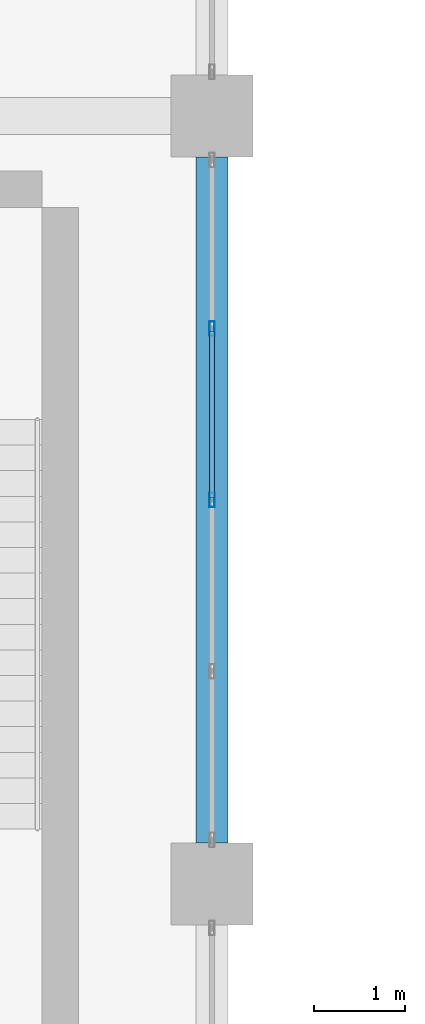
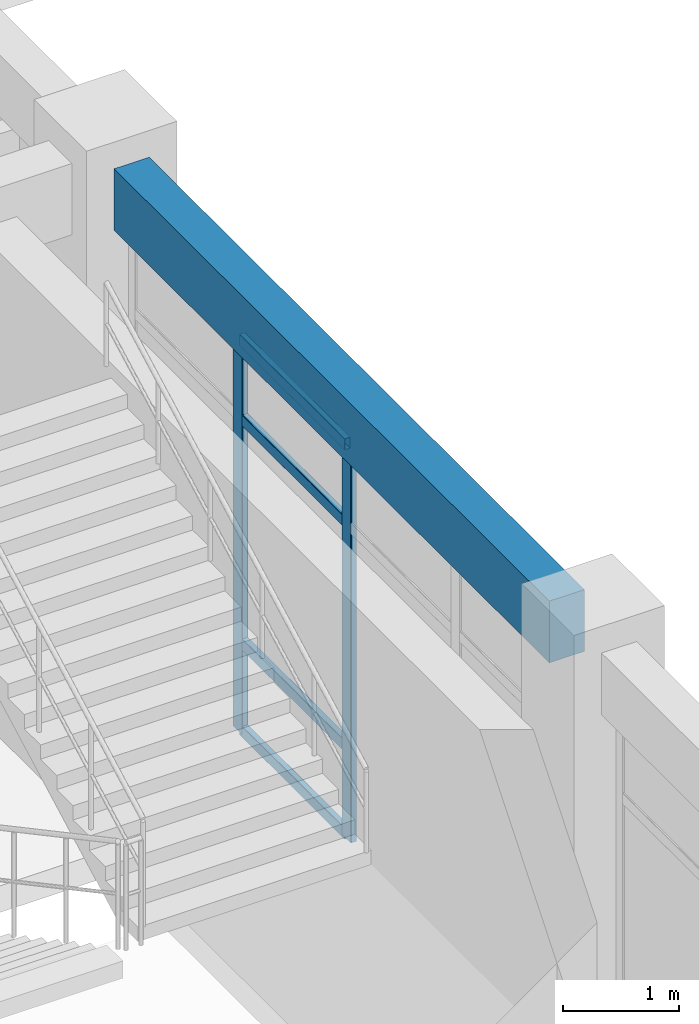
# One storey, part 27 of 120: 6 members, 1 beam, 1 element without a shape of its own.
"""IFC4 building model written with IfcOpenShell, lengths in metres."""

from ifc_helpers import new_model, si_unit, derived_unit, direction, frame, origin, origin_2d, place, context, subcontext, project, spatial, rectangle, hollow_rectangle, extrude, material, layer, layer_set, material_profile, profile_set, type_object, element, aggregate, save


model = new_model("IFC4")

# Units and contexts
model_context = context("Model", 3, precision=1e-05, world=origin(), true_north=direction((0.0, 1.0)))
body_context = subcontext(model_context, "Body", "Model", "MODEL_VIEW")
ifc_project = project(units=[si_unit("LENGTHUNIT", "METRE"), si_unit("AREAUNIT", "SQUARE_METRE"), si_unit("VOLUMEUNIT", "CUBIC_METRE"), si_unit("PLANEANGLEUNIT", "RADIAN"), si_unit("MASSUNIT", "GRAM", prefix="KILO"), derived_unit("THERMALTRANSMITTANCEUNIT", [(si_unit("MASSUNIT", "GRAM", prefix="KILO"), 1), (si_unit("TIMEUNIT", "SECOND"), -3), (si_unit("THERMODYNAMICTEMPERATUREUNIT", "KELVIN"), -1)])], contexts=[model_context])

# Site, building, storey
site_placement = place(None, origin())
site = spatial("IfcSite", under=ifc_project, at=site_placement, CompositionType="ELEMENT")
building_placement = place(site_placement, origin())
building = spatial("IfcBuilding", under=site, at=building_placement, Name="Qinzheling Arcade Emporium", CompositionType="ELEMENT")
storey_placement = place(building_placement, frame((0.0, 0.0, 11.39990234375)))
storey = spatial("IfcBuildingStorey", under=building, at=storey_placement, Name="L03", CompositionType="ELEMENT", Elevation=11.39990234375)

# Curtain wall, members
ifc_material_1 = material(Name="Anodised aluminium and solar-control double glazing", Category="aluminium")
ifc_layer = layer(ifc_material_1, 0.159912109375, Name="Anodised aluminium and solar-control double glazing", Category="aluminium")
ifc_layer_set = layer_set([ifc_layer], Name="Anodised aluminium and solar-control double glazing")
curtain_wall_type = type_object("IfcCurtainWallType", Name="Arcade Portal Glazed Curtain Wall", PredefinedType="NOTDEFINED", material=ifc_layer_set)
curtain_wall_placement = place(storey_placement, origin())
curtain_wall = element("IfcCurtainWall", 1, at=curtain_wall_placement, inside=storey, type_object=curtain_wall_type, Name="Curtain Wall CW-L03-146", PredefinedType="NOTDEFINED")
ifc_material_2 = material(Name="Anodised aluminium 6063-T6", Category="aluminium")
ifc_material_profile_1 = material_profile(ifc_material_2, hollow_rectangle(XDim=0.06005859375, YDim=0.159912109375, WallThickness=0.00390625, InnerFilletRadius=0.00390625, OuterFilletRadius=0.008056640625, at=origin_2d()), Name="RHS 160x60x4", Category="aluminium")
ifc_profile_set_1 = profile_set([ifc_material_profile_1], Name="Anodised aluminium 6063-T6")
member_type_1 = type_object("IfcMemberType", Name="Curtain Wall Mullion RHS160x60", PredefinedType="MULLION", material=ifc_profile_set_1)
member_1_placement = place(storey_placement, frame((69.60009765625, 31.27392578125, 0.0), z_axis=(0.0, 0.0, 1.0), x_axis=(1.0, 0.0, 0.0)))
member_1 = element("IfcMember", 2, at=member_1_placement, type_object=member_type_1, Name="CW05 mullion 2", PredefinedType="MULLION", context=body_context, shape_type="SweptSolid", body=[
    extrude(hollow_rectangle(XDim=0.06005859375, YDim=0.159912109375, WallThickness=0.00390625, InnerFilletRadius=0.00390625, OuterFilletRadius=0.008056640625, at=origin_2d()), origin(), (0.0, 0.0, 1.0), 4.155029296875),
])
member_2_placement = place(storey_placement, frame((69.60009765625, 29.39990234375, 0.0), z_axis=(0.0, 0.0, 1.0), x_axis=(1.0, 0.0, 0.0)))
member_2 = element("IfcMember", 3, at=member_2_placement, type_object=member_type_1, Name="CW05 mullion 3", PredefinedType="MULLION", context=body_context, shape_type="SweptSolid", body=[
    extrude(hollow_rectangle(XDim=0.06005859375, YDim=0.159912109375, WallThickness=0.00390625, InnerFilletRadius=0.00390625, OuterFilletRadius=0.008056640625, at=origin_2d()), origin(), (0.0, 0.0, 1.0), 4.155029296875),
])
ifc_material_profile_2 = material_profile(ifc_material_2, hollow_rectangle(XDim=0.06005859375, YDim=0.1201171875, WallThickness=0.00390625, InnerFilletRadius=0.00390625, OuterFilletRadius=0.008056640625, at=origin_2d()), Name="RHS 120x60x4", Category="aluminium")
ifc_profile_set_2 = profile_set([ifc_material_profile_2], Name="Anodised aluminium 6063-T6")
member_type_2 = type_object("IfcMemberType", Name="Curtain Wall Transom RHS120x60", PredefinedType="USERDEFINED", material=ifc_profile_set_2)
member_3_placement = place(storey_placement, frame((69.60009765625, 31.243896484375, 0.030029296875), z_axis=(0.0, -1.0, 0.0), x_axis=(1.0, 0.0, 0.0)))
member_3 = element("IfcMember", 4, at=member_3_placement, type_object=member_type_2, Name="CW05 transom 2.1", ObjectType="TRANSOM", PredefinedType="USERDEFINED", context=body_context, shape_type="SweptSolid", body=[
    extrude(hollow_rectangle(XDim=0.06005859375, YDim=0.1201171875, WallThickness=0.00390625, InnerFilletRadius=0.00390625, OuterFilletRadius=0.008056640625, at=origin_2d()), origin(), (0.0, 0.0, 1.0), 1.81396484375),
])
member_4_placement = place(storey_placement, frame((69.60009765625, 31.243896484375, 0.9501953125), z_axis=(0.0, -1.0, 0.0), x_axis=(1.0, 0.0, 0.0)))
member_4 = element("IfcMember", 5, at=member_4_placement, type_object=member_type_2, Name="CW05 transom 2.2", ObjectType="TRANSOM", PredefinedType="USERDEFINED", context=body_context, shape_type="SweptSolid", body=[
    extrude(hollow_rectangle(XDim=0.06005859375, YDim=0.1201171875, WallThickness=0.00390625, InnerFilletRadius=0.00390625, OuterFilletRadius=0.008056640625, at=origin_2d()), origin(), (0.0, 0.0, 1.0), 1.81396484375),
])
member_5_placement = place(storey_placement, frame((69.60009765625, 31.243896484375, 3.30517578125), z_axis=(0.0, -1.0, 0.0), x_axis=(1.0, 0.0, 0.0)))
member_5 = element("IfcMember", 6, at=member_5_placement, type_object=member_type_2, Name="CW05 transom 2.3", ObjectType="TRANSOM", PredefinedType="USERDEFINED", context=body_context, shape_type="SweptSolid", body=[
    extrude(hollow_rectangle(XDim=0.06005859375, YDim=0.1201171875, WallThickness=0.00390625, InnerFilletRadius=0.00390625, OuterFilletRadius=0.008056640625, at=origin_2d()), origin(), (0.0, 0.0, 1.0), 1.81396484375),
])
member_6_placement = place(storey_placement, frame((69.60009765625, 31.243896484375, 4.125), z_axis=(0.0, -1.0, 0.0), x_axis=(1.0, 0.0, 0.0)))
member_6 = element("IfcMember", 7, at=member_6_placement, type_object=member_type_2, Name="CW05 transom 2.4", ObjectType="TRANSOM", PredefinedType="USERDEFINED", context=body_context, shape_type="SweptSolid", body=[
    extrude(hollow_rectangle(XDim=0.06005859375, YDim=0.1201171875, WallThickness=0.00390625, InnerFilletRadius=0.00390625, OuterFilletRadius=0.008056640625, at=origin_2d()), origin(), (0.0, 0.0, 1.0), 1.81396484375),
])
aggregate(curtain_wall, [member_1, member_2, member_3, member_4, member_5, member_6])

# Beam
ifc_material_3 = material(Name="Concrete C40", Category="concrete")
ifc_material_profile_3 = material_profile(ifc_material_3, rectangle(XDim=0.35009765625, YDim=0.64990234375, at=origin_2d()), Name="RC 350x650", Category="concrete")
ifc_profile_set_3 = profile_set([ifc_material_profile_3], Name="Concrete C40")
beam_type = type_object("IfcBeamType", Name="RC Spandrel Edge Beam 350x650 C40", PredefinedType="SPANDREL", material=ifc_profile_set_3)
beam_placement = place(storey_placement, frame((69.60009765625, 25.64990234375, 4.4951171875), z_axis=(0.0, 1.0, 0.0), x_axis=(-1.0, 0.0, 0.0)))
element("IfcBeam", 8, at=beam_placement, inside=storey, type_object=beam_type, Name="Beam BM-L03-Y-9-D", PredefinedType="SPANDREL", context=body_context, shape_type="SweptSolid", body=[
    extrude(rectangle(XDim=0.35009765625, YDim=0.64990234375, at=origin_2d()), origin(), (0.0, 0.0, 1.0), 7.5),
])

save(model, "model.ifc")
